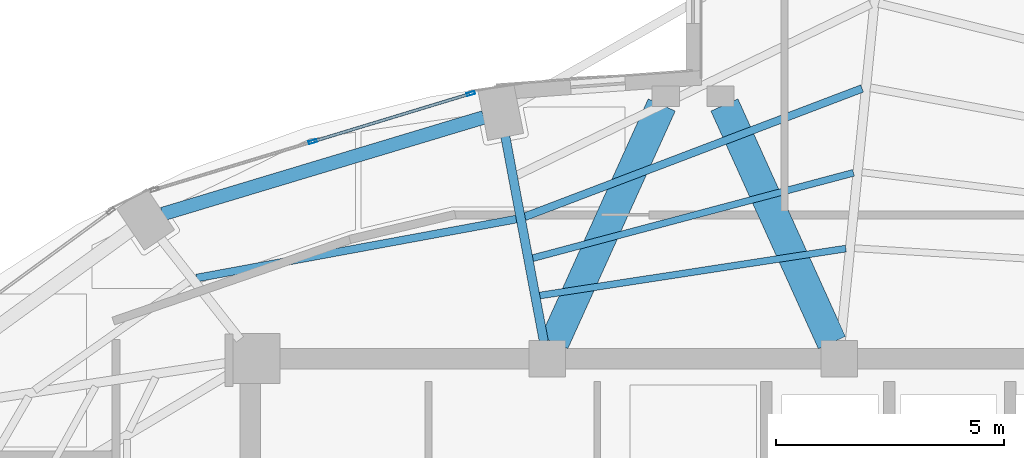
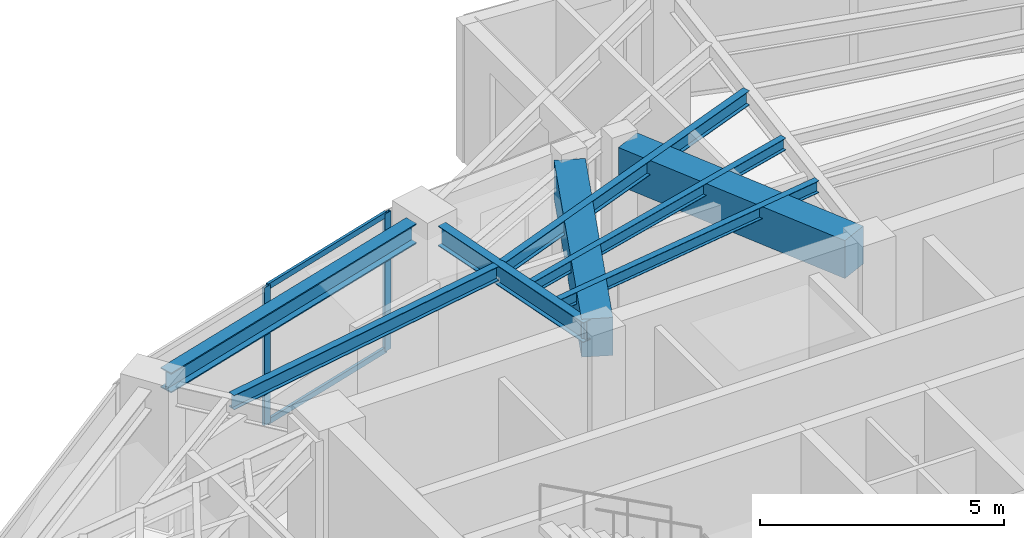
# One storey, part 11 of 23: 8 beams, 4 members, 1 element without a shape of its own.
"""IFC4 building model written with IfcOpenShell, lengths in metres."""

from ifc_helpers import new_model, si_unit, direction, frame, origin, origin_2d, place, context, subcontext, project, spatial, rectangle, hollow_rectangle, i_section, extrude, material, layer, layer_set, material_profile, profile_set, type_object, element, aggregate, save


model = new_model("IFC4")

# Units and contexts
model_context = context("Model", 3, precision=1e-05, world=origin(), true_north=direction((0.0, 1.0)))
body_context = subcontext(model_context, "Body", "Model", "MODEL_VIEW")
ifc_project = project(units=[si_unit("LENGTHUNIT", "METRE"), si_unit("AREAUNIT", "SQUARE_METRE"), si_unit("VOLUMEUNIT", "CUBIC_METRE"), si_unit("PLANEANGLEUNIT", "RADIAN"), si_unit("MASSUNIT", "GRAM", prefix="KILO")], contexts=[model_context])

# Site, building, storey
site_placement = place(None, origin())
site = spatial("IfcSite", under=ifc_project, at=site_placement, CompositionType="ELEMENT")
building_placement = place(site_placement, origin())
building = spatial("IfcBuilding", under=site, at=building_placement, Name="Lazwardi Medical Tower", CompositionType="ELEMENT")
storey_placement = place(building_placement, frame((0.0, 0.0, 234.9599609375)))
storey = spatial("IfcBuildingStorey", under=building, at=storey_placement, Name="L61", CompositionType="ELEMENT", Elevation=234.9599609375)

# Beams
ifc_material_1 = material(Name="Concrete C60/75", Category="concrete")
ifc_material_profile_1 = material_profile(ifc_material_1, rectangle(XDim=0.64990234375, YDim=0.949951171875, at=origin_2d()), Name="RC 650x950")
ifc_profile_set_1 = profile_set([ifc_material_profile_1], Name="Concrete C60/75")
beam_type_1 = type_object("IfcBeamType", Name="BM-CB-RC2", PredefinedType="LINTEL", material=ifc_profile_set_1)
for number, where, z_axis, x_axis, name in (
    (1, (32.95849609375, 35.95068359375, 2.97314453125), (0.412019279944, 0.911175127489, 0.0), (-0.911175127489, 0.412019279944, 0.0), "Core coupling lintel CB-02 PL1 L61"),
    (2, (39.04150390625, 35.95068359375, 2.97314453125), (-0.412019279944, 0.911175127489, 0.0), (-0.911175127489, -0.412019279944, 0.0), "Core coupling lintel CB-02 PL2 L61"),
):
    element("IfcBeam", number, at=place(storey_placement, frame(where, z_axis=z_axis, x_axis=x_axis)), inside=storey, type_object=beam_type_1, Name=name, PredefinedType="LINTEL", context=body_context, shape_type="SweptSolid", body=[
        extrude(rectangle(XDim=0.64990234375, YDim=0.949951171875, at=origin_2d()), origin(), (0.0, 0.0, 1.0), 5.7158203125),
    ])
ifc_material_2 = material(Name="Steel S355", Category="steel")
ifc_material_profile_2 = material_profile(ifc_material_2, i_section(OverallWidth=0.300048828125, OverallDepth=0.5, WebThickness=0.014404296875, FlangeThickness=0.028076171875, at=origin_2d()), Name="HEB 500")
ifc_profile_set_2 = profile_set([ifc_material_profile_2], Name="Steel S355")
beam_type_2 = type_object("IfcBeamType", Name="BM-RB-Z4", PredefinedType="BEAM", material=ifc_profile_set_2)
beam_1_placement = place(storey_placement, frame((31.41259765625, 40.885986328125, 3.197998046875), z_axis=(-0.957544311906, -0.288286126506, 0.0), x_axis=(0.288286126506, -0.957544311906, 0.0)))
element("IfcBeam", 3, at=beam_1_placement, inside=storey, type_object=beam_type_2, Name="Ring beam RB-05 B09 L61", PredefinedType="BEAM", context=body_context, shape_type="SweptSolid", body=[
    extrude(i_section(OverallWidth=0.300048828125, OverallDepth=0.5, WebThickness=0.014404296875, FlangeThickness=0.028076171875, at=origin_2d()), origin(), (0.0, 0.0, 1.0), 7.3515625),
])
ifc_material_profile_3 = material_profile(ifc_material_2, i_section(OverallWidth=0.199951171875, OverallDepth=0.5, WebThickness=0.01025390625, FlangeThickness=0.01611328125, at=origin_2d()), Name="IPE 500")
ifc_profile_set_3 = profile_set([ifc_material_profile_3], Name="Steel S355")
beam_type_3 = type_object("IfcBeamType", Name="BM-RG-W3", PredefinedType="BEAM", material=ifc_profile_set_3)
beam_2_placement = place(storey_placement, frame((31.884765625, 40.472412109375, 3.197998046875), z_axis=(0.184633463507, -0.982807450192, 0.0), x_axis=(0.982807450192, 0.184633463507, 0.0)))
element("IfcBeam", 4, at=beam_2_placement, inside=storey, type_object=beam_type_3, Name="Radial girder RG-04 R09 L61", PredefinedType="BEAM", context=body_context, shape_type="SweptSolid", body=[
    extrude(i_section(OverallWidth=0.199951171875, OverallDepth=0.5, WebThickness=0.01025390625, FlangeThickness=0.01611328125, at=origin_2d()), origin(), (0.0, 0.0, 1.0), 4.572509765625),
])
ifc_material_profile_4 = material_profile(ifc_material_2, i_section(OverallWidth=0.169921875, OverallDepth=0.360107421875, WebThickness=0.008056640625, FlangeThickness=0.0126953125, at=origin_2d()), Name="IPE 360")
ifc_profile_set_4 = profile_set([ifc_material_profile_4], Name="Steel S355")
beam_type_4 = type_object("IfcBeamType", Name="BM-SJ-02", PredefinedType="JOIST", material=ifc_profile_set_4)
beam_3_placement = place(storey_placement, frame((39.703125, 41.51904296875, 3.26806640625), z_axis=(-0.934714470268, -0.355399576633, 0.0), x_axis=(0.355399576633, -0.934714470268, 0.0)))
element("IfcBeam", 5, at=beam_3_placement, inside=storey, type_object=beam_type_4, Name="Secondary joist SJ-02 R2 B08 L61", PredefinedType="JOIST", context=body_context, shape_type="SweptSolid", body=[
    extrude(i_section(OverallWidth=0.169921875, OverallDepth=0.360107421875, WebThickness=0.008056640625, FlangeThickness=0.0126953125, at=origin_2d()), origin(), (0.0, 0.0, 1.0), 7.908203125),
])
beam_4_placement = place(storey_placement, frame((32.12890625, 38.65771484375, 3.26806640625), z_axis=(-0.983427965623, -0.181299300688, 0.0), x_axis=(0.181299300688, -0.983427965623, 0.0)))
element("IfcBeam", 6, at=beam_4_placement, inside=storey, type_object=beam_type_4, Name="Secondary joist SJ-02 R2 B09 L61", PredefinedType="JOIST", context=body_context, shape_type="SweptSolid", body=[
    extrude(i_section(OverallWidth=0.169921875, OverallDepth=0.360107421875, WebThickness=0.008056640625, FlangeThickness=0.0126953125, at=origin_2d()), origin(), (0.0, 0.0, 1.0), 7.127685546875),
])
ifc_material_profile_5 = material_profile(ifc_material_2, i_section(OverallWidth=0.14990234375, OverallDepth=0.300048828125, WebThickness=0.007080078125, FlangeThickness=0.0107421875, at=origin_2d()), Name="IPE 300")
ifc_profile_set_5 = profile_set([ifc_material_profile_5], Name="Steel S355")
beam_type_5 = type_object("IfcBeamType", Name="BM-SJ-03", PredefinedType="JOIST", material=ifc_profile_set_5)
beam_5_placement = place(storey_placement, frame((39.515380859375, 39.671875, 3.298095703125), z_axis=(-0.966369007826, -0.257159368316, 0.0), x_axis=(0.257159368316, -0.966369007826, 0.0)))
element("IfcBeam", 7, at=beam_5_placement, inside=storey, type_object=beam_type_5, Name="Secondary joist SJ-03 R3 B08 L61", PredefinedType="JOIST", context=body_context, shape_type="SweptSolid", body=[
    extrude(i_section(OverallWidth=0.14990234375, OverallDepth=0.300048828125, WebThickness=0.007080078125, FlangeThickness=0.0107421875, at=origin_2d()), origin(), (0.0, 0.0, 1.0), 7.27685546875),
])
beam_6_placement = place(storey_placement, frame((39.347412109375, 38.010986328125, 3.298095703125), z_axis=(-0.988433562862, -0.151654514629, 0.0), x_axis=(0.151654514629, -0.988433562862, 0.0)))
element("IfcBeam", 8, at=beam_6_placement, inside=storey, type_object=beam_type_5, Name="Secondary joist SJ-03 R4 B08 L61", PredefinedType="JOIST", context=body_context, shape_type="SweptSolid", body=[
    extrude(i_section(OverallWidth=0.14990234375, OverallDepth=0.300048828125, WebThickness=0.007080078125, FlangeThickness=0.0107421875, at=origin_2d()), origin(), (0.0, 0.0, 1.0), 6.788818359375),
])

# Curtain wall, members
ifc_material_3 = material(Name="Anodised bronze aluminium and solar control glazing", Category="aluminium")
ifc_layer = layer(ifc_material_3, 0.18994140625)
ifc_layer_set = layer_set([ifc_layer], Name="Anodised bronze aluminium and solar control glazing")
curtain_wall_type = type_object("IfcCurtainWallType", Name="CW-SYS-04", PredefinedType="NOTDEFINED", material=ifc_layer_set)
curtain_wall_placement = place(storey_placement, origin())
curtain_wall = element("IfcCurtainWall", 9, at=curtain_wall_placement, inside=storey, type_object=curtain_wall_type, Name="L61 Unitised bronze curtain wall CW-04", PredefinedType="NOTDEFINED")
ifc_material_4 = material(Name="Anodised bronze aluminium", Category="aluminium")
ifc_material_profile_6 = material_profile(ifc_material_4, hollow_rectangle(XDim=0.06494140625, YDim=0.179931640625, WallThickness=0.00390625, at=origin_2d()), Name="ALU-MULLION 180x65x4")
ifc_profile_set_6 = profile_set([ifc_material_profile_6], Name="Anodised bronze aluminium")
member_type_1 = type_object("IfcMemberType", Name="CW-MUL-03", PredefinedType="MULLION", material=ifc_profile_set_6)
member_1_placement = place(storey_placement, frame((31.126953125, 41.406982421875, 0.0), z_axis=(0.0, 0.0, 1.0), x_axis=(0.290581889515, -0.956850126972, 0.0)))
member_1 = element("IfcMember", 10, at=member_1_placement, type_object=member_type_1, Name="CW-04 mullion 1", PredefinedType="MULLION", context=body_context, shape_type="SweptSolid", body=[
    extrude(hollow_rectangle(XDim=0.06494140625, YDim=0.179931640625, WallThickness=0.00390625, at=origin_2d()), origin(), (0.0, 0.0, 1.0), 3.447998046875),
])
member_2_placement = place(storey_placement, frame((27.66357421875, 40.355224609375, 0.0), z_axis=(0.0, 0.0, 1.0), x_axis=(0.290581889515, -0.956850126972, 0.0)))
member_2 = element("IfcMember", 11, at=member_2_placement, type_object=member_type_1, Name="CW-04 mullion 2", PredefinedType="MULLION", context=body_context, shape_type="SweptSolid", body=[
    extrude(hollow_rectangle(XDim=0.06494140625, YDim=0.179931640625, WallThickness=0.00390625, at=origin_2d()), origin(), (0.0, 0.0, 1.0), 3.447998046875),
])
ifc_material_profile_7 = material_profile(ifc_material_4, hollow_rectangle(XDim=0.06494140625, YDim=0.139892578125, WallThickness=0.00341796875, at=origin_2d()), Name="ALU-TRANSOM 140x65x3.5")
ifc_profile_set_7 = profile_set([ifc_material_profile_7], Name="Anodised bronze aluminium")
member_type_2 = type_object("IfcMemberType", Name="CW-TRN-03", PredefinedType="USERDEFINED", material=ifc_profile_set_7)
member_3_placement = place(storey_placement, frame((31.095703125, 41.397705078125, 0.032470703125), z_axis=(-0.956843409009, -0.290604010015, 0.0), x_axis=(0.290604010015, -0.956843409009, 0.0)))
member_3 = element("IfcMember", 12, at=member_3_placement, type_object=member_type_2, Name="CW-04 transom 1.1", ObjectType="TRANSOM", PredefinedType="USERDEFINED", context=body_context, shape_type="SweptSolid", body=[
    extrude(hollow_rectangle(XDim=0.06494140625, YDim=0.139892578125, WallThickness=0.00341796875, at=origin_2d()), origin(), (0.0, 0.0, 1.0), 3.554443359375),
])
member_4_placement = place(storey_placement, frame((31.095703125, 41.397705078125, 3.41552734375), z_axis=(-0.956843409009, -0.290604010015, 0.0), x_axis=(0.290604010015, -0.956843409009, 0.0)))
member_4 = element("IfcMember", 13, at=member_4_placement, type_object=member_type_2, Name="CW-04 transom 1.2", ObjectType="TRANSOM", PredefinedType="USERDEFINED", context=body_context, shape_type="SweptSolid", body=[
    extrude(hollow_rectangle(XDim=0.06494140625, YDim=0.139892578125, WallThickness=0.00341796875, at=origin_2d()), origin(), (0.0, 0.0, 1.0), 3.554443359375),
])
aggregate(curtain_wall, [member_1, member_2, member_3, member_4])

save(model, "model.ifc")
